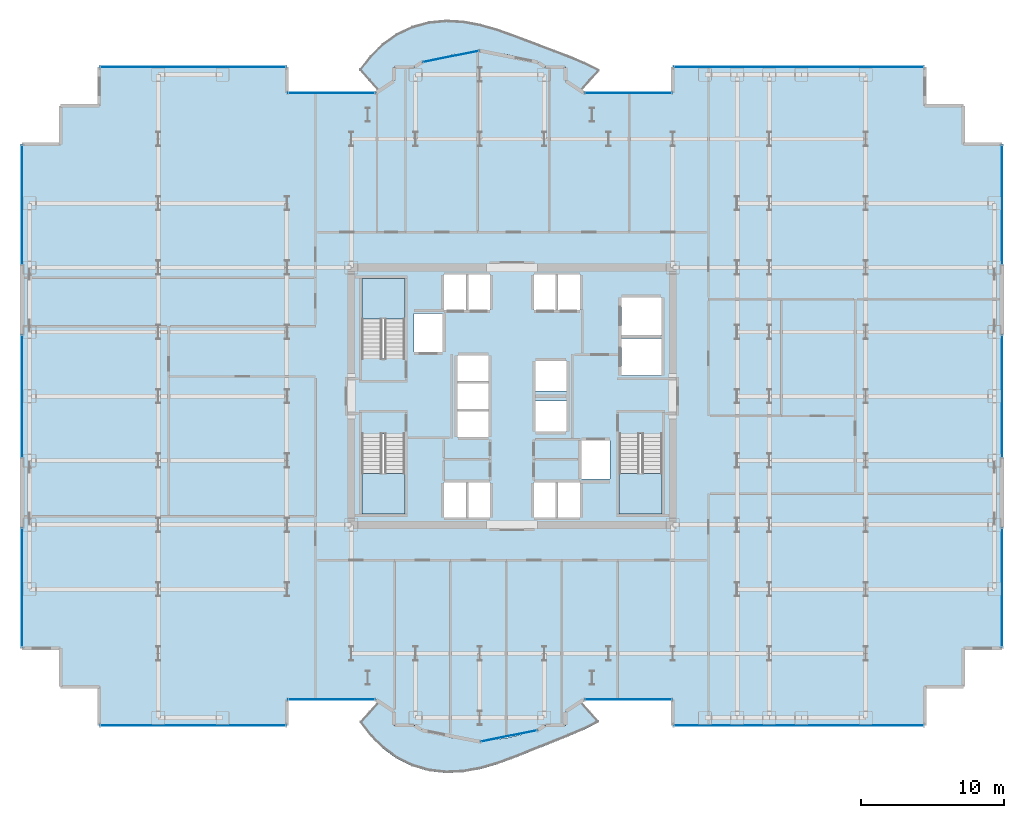
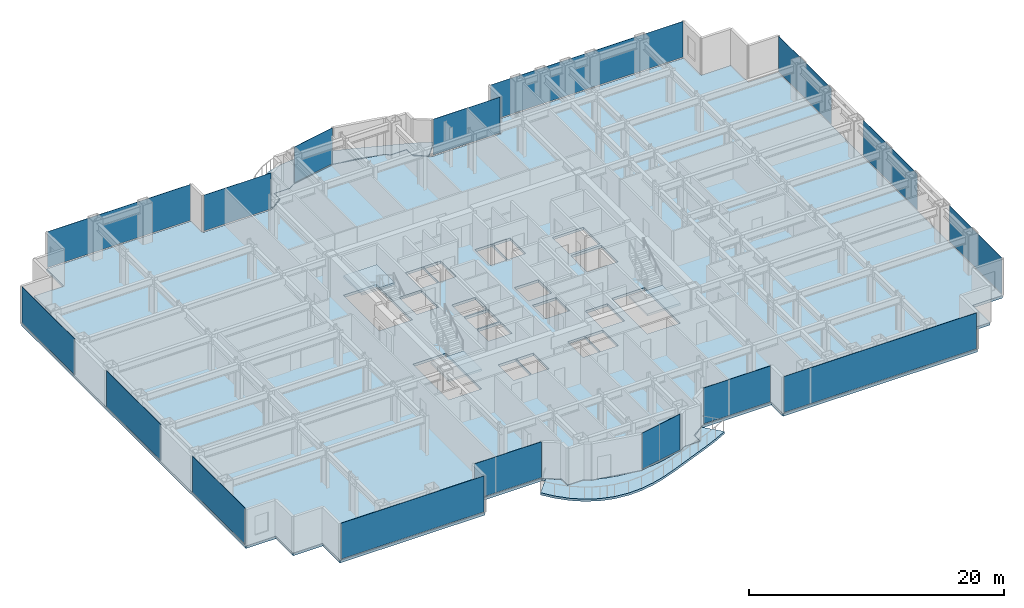
# One storey, part 20 of 29: 16 plates, 6 slabs, 19 elements without a shape of their own.
"""IFC4 building model written with IfcOpenShell, lengths in metres."""

from ifc_helpers import new_model, si_unit, direction, frame, origin, origin_2d, place, context, subcontext, project, spatial, polyline, rectangle, outline, extrude, source, transform, mapped, material, layer, layer_set, type_object, element, aggregate, save


model = new_model("IFC4")

# Units and contexts
model_context = context("Model", 3, precision=1e-05, world=origin(), true_north=direction((0.0, 1.0)))
body_context = subcontext(model_context, "Body", "Model", "MODEL_VIEW")
ifc_project = project(units=[si_unit("LENGTHUNIT", "METRE"), si_unit("AREAUNIT", "SQUARE_METRE"), si_unit("VOLUMEUNIT", "CUBIC_METRE"), si_unit("PLANEANGLEUNIT", "RADIAN"), si_unit("MASSUNIT", "GRAM", prefix="KILO")], contexts=[model_context])

# Site, building, storey
site_placement = place(None, origin())
site = spatial("IfcSite", under=ifc_project, at=site_placement, CompositionType="ELEMENT")
building_placement = place(site_placement, origin())
building = spatial("IfcBuilding", under=site, at=building_placement, Name="Nefas-Gora Pilgrimage Tower", CompositionType="ELEMENT")
storey_placement = place(building_placement, frame((0.0, 0.0, 90.800048828125)))
storey = spatial("IfcBuildingStorey", under=building, at=storey_placement, Name="L21", CompositionType="ELEMENT", Elevation=90.800048828125)

# Slabs
ifc_material_1 = material(Name="Concrete C40/50", Category="concrete")
ifc_layer_1 = layer(ifc_material_1, 0.219970703125)
ifc_layer_set_1 = layer_set([ifc_layer_1], Name="Concrete C40/50")
slab_type_1 = type_object("IfcSlabType", Name="SLB-BAL-P0", PredefinedType="FLOOR", material=ifc_layer_set_1)
slab_1_placement = place(storey_placement, frame((0.0, 0.0, -0.219970703125)))
element("IfcSlab", 1, at=slab_1_placement, inside=storey, type_object=slab_type_1, Name="L21 Sinusoidal Lobe Balcony Slab S (Phase 0)", PredefinedType="FLOOR", context=body_context, shape_type="SweptSolid", body=[
    extrude(outline(polyline([(4.78759765625, -21.385986328125), (4.724609375, -21.427978515625), (4.038330078125, -21.9912109375), (3.760009765625, -22.179931640625), (3.760009765625, -23.02001953125), (3.760009765625, -23.02099609375), (3.759765625, -23.02197265625), (3.759521484375, -23.02294921875), (3.75927734375, -23.023681640625), (3.7587890625, -23.024658203125), (3.75830078125, -23.025634765625), (3.7578125, -23.0263671875), (3.757080078125, -23.027099609375), (3.75634765625, -23.027587890625), (3.755615234375, -23.0283203125), (3.754638671875, -23.02880859375), (3.75390625, -23.029296875), (3.7529296875, -23.029541015625), (3.751953125, -23.02978515625), (3.7509765625, -23.030029296875), (3.75, -23.030029296875), (2.3271484375, -23.030029296875), (1.81298828125, -23.37353515625), (1.81201171875, -23.3740234375), (1.811279296875, -23.37451171875), (1.810302734375, -23.375), (1.809326171875, -23.375), (1.13037109375, -23.51025390625), (0.602783203125, -23.685302734375), (-0.334716796875, -23.904052734375), (-1.288330078125, -24.035888671875), (-1.580078125, -24.04931640625), (-2.248046875, -24.18212890625), (-2.2490234375, -24.182373046875), (-2.25, -24.182373046875), (-2.2509765625, -24.182373046875), (-2.251953125, -24.18212890625), (-2.919921875, -24.04931640625), (-3.211669921875, -24.035888671875), (-4.165283203125, -23.904052734375), (-5.102783203125, -23.685302734375), (-5.63037109375, -23.51025390625), (-6.309326171875, -23.375), (-6.310302734375, -23.375), (-6.311279296875, -23.37451171875), (-6.31201171875, -23.3740234375), (-6.31298828125, -23.37353515625), (-6.8271484375, -23.030029296875), (-8.25, -23.030029296875), (-8.2509765625, -23.030029296875), (-8.251953125, -23.02978515625), (-8.2529296875, -23.029541015625), (-8.25390625, -23.029296875), (-8.254638671875, -23.02880859375), (-8.255615234375, -23.0283203125), (-8.25634765625, -23.027587890625), (-8.257080078125, -23.027099609375), (-8.2578125, -23.0263671875), (-8.25830078125, -23.025634765625), (-8.2587890625, -23.024658203125), (-8.25927734375, -23.023681640625), (-8.259521484375, -23.02294921875), (-8.259765625, -23.02197265625), (-8.260009765625, -23.02099609375), (-8.260009765625, -23.02001953125), (-8.260009765625, -22.179931640625), (-8.538330078125, -21.9912109375), (-9.224609375, -21.427978515625), (-9.28759765625, -21.385986328125), (-10.614013671875, -22.859375), (-9.88720703125, -23.797607421875), (-9.037109375, -24.6455078125), (-8.062744140625, -25.357177734375), (-6.98046875, -25.89306640625), (-5.8203125, -26.2294921875), (-4.620849609375, -26.3623046875), (-3.42041015625, -26.3076171875), (-2.25, -26.09912109375), (-1.1279296875, -25.78125), (-0.0576171875, -25.39990234375), (0.971923828125, -24.993896484375), (1.979248046875, -24.58740234375), (2.985107421875, -24.18603515625), (4.00439453125, -23.7763671875), (5.039306640625, -23.331298828125), (6.0751953125, -22.816162109375), (4.78759765625, -21.385986328125)])), origin(), (0.0, 0.0, 1.0), 0.219970703125),
])
ifc_layer_2 = layer(ifc_material_1, 0.22509765625)
ifc_layer_set_2 = layer_set([ifc_layer_2], Name="Concrete C40/50")
slab_type_2 = type_object("IfcSlabType", Name="SLB-BAL-P4", PredefinedType="FLOOR", material=ifc_layer_set_2)
slab_2_placement = place(storey_placement, frame((0.0, 0.0, -0.22509765625)))
element("IfcSlab", 2, at=slab_2_placement, inside=storey, type_object=slab_type_2, Name="L21 Sinusoidal Lobe Balcony Slab N (Phase 4)", PredefinedType="FLOOR", context=body_context, shape_type="SweptSolid", body=[
    extrude(outline(polyline([(-9.28759765625, 21.385986328125), (-9.224609375, 21.427978515625), (-8.538330078125, 21.9912109375), (-8.260009765625, 22.179931640625), (-8.260009765625, 23.02001953125), (-8.260009765625, 23.02099609375), (-8.259765625, 23.02197265625), (-8.259521484375, 23.02294921875), (-8.25927734375, 23.023681640625), (-8.2587890625, 23.024658203125), (-8.25830078125, 23.025634765625), (-8.2578125, 23.0263671875), (-8.257080078125, 23.027099609375), (-8.25634765625, 23.027587890625), (-8.255615234375, 23.0283203125), (-8.254638671875, 23.02880859375), (-8.25390625, 23.029296875), (-8.2529296875, 23.029541015625), (-8.251953125, 23.02978515625), (-8.2509765625, 23.030029296875), (-8.25, 23.030029296875), (-6.8271484375, 23.030029296875), (-6.31298828125, 23.37353515625), (-6.31201171875, 23.3740234375), (-6.311279296875, 23.37451171875), (-6.310302734375, 23.375), (-6.309326171875, 23.375), (-5.63037109375, 23.51025390625), (-5.102783203125, 23.685302734375), (-4.165283203125, 23.904052734375), (-3.211669921875, 24.035888671875), (-2.919921875, 24.04931640625), (-2.251953125, 24.18212890625), (-2.2509765625, 24.182373046875), (-2.25, 24.182373046875), (-2.2490234375, 24.182373046875), (-2.248046875, 24.18212890625), (-1.580078125, 24.04931640625), (-1.288330078125, 24.035888671875), (-0.334716796875, 23.904052734375), (0.602783203125, 23.685302734375), (1.13037109375, 23.51025390625), (1.809326171875, 23.375), (1.810302734375, 23.375), (1.811279296875, 23.37451171875), (1.81201171875, 23.3740234375), (1.81298828125, 23.37353515625), (2.3271484375, 23.030029296875), (3.75, 23.030029296875), (3.7509765625, 23.030029296875), (3.751953125, 23.02978515625), (3.7529296875, 23.029541015625), (3.75390625, 23.029296875), (3.754638671875, 23.02880859375), (3.755615234375, 23.0283203125), (3.75634765625, 23.027587890625), (3.757080078125, 23.027099609375), (3.7578125, 23.0263671875), (3.75830078125, 23.025634765625), (3.7587890625, 23.024658203125), (3.75927734375, 23.023681640625), (3.759521484375, 23.02294921875), (3.759765625, 23.02197265625), (3.760009765625, 23.02099609375), (3.760009765625, 23.02001953125), (3.760009765625, 22.179931640625), (4.038330078125, 21.9912109375), (4.724609375, 21.427978515625), (4.78759765625, 21.385986328125), (6.114013671875, 22.859375), (5.07080078125, 23.373779296875), (4.025390625, 23.810302734375), (2.994384765625, 24.20458984375), (1.978759765625, 24.58642578125), (0.965576171875, 24.9716796875), (-0.06494140625, 25.359130859375), (-1.1328125, 25.7275390625), (-2.25, 26.041015625), (-3.41552734375, 26.25390625), (-4.61328125, 26.321533203125), (-5.814208984375, 26.20751953125), (-6.97998046875, 25.89208984375), (-8.072021484375, 25.375732421875), (-9.05810546875, 24.6796875), (-9.9189453125, 23.840087890625), (-10.653076171875, 22.902587890625), (-9.28759765625, 21.385986328125)])), origin(), (0.0, 0.0, 1.0), 0.22509765625),
])
ifc_layer_3 = layer(ifc_material_1, 0.25)
ifc_layer_set_3 = layer_set([ifc_layer_3], Name="Concrete C40/50")
slab_type_3 = type_object("IfcSlabType", Name="SLB-TWR-250", PredefinedType="FLOOR", material=ifc_layer_set_3)
slab_3_placement = place(storey_placement, frame((0.0, 0.0, -0.25)))
element("IfcSlab", 3, at=slab_3_placement, inside=storey, type_object=slab_type_3, Name="L21 Structural Floor Slab", PredefinedType="FLOOR", context=body_context, shape_type="SweptSolid", body=[
    extrude(outline(polyline([(5.01806640625, -21.219970703125), (11.25, -21.219970703125), (11.25, -23.02001953125), (28.8701171875, -23.02001953125), (28.8701171875, -20.320068359375), (31.570068359375, -20.320068359375), (31.570068359375, -17.6201171875), (34.27001953125, -17.6201171875), (34.27001953125, 17.6201171875), (31.570068359375, 17.6201171875), (31.570068359375, 20.320068359375), (28.8701171875, 20.320068359375), (28.8701171875, 23.02001953125), (11.25, 23.02001953125), (11.25, 21.219970703125), (5.01806640625, 21.219970703125), (3.75, 22.0673828125), (3.75, 23.02001953125), (2.32421875, 23.02001953125), (1.807373046875, 23.365234375), (-2.25, 24.17236328125), (-6.307373046875, 23.365234375), (-6.82421875, 23.02001953125), (-8.25, 23.02001953125), (-8.25, 22.0673828125), (-9.51806640625, 21.219970703125), (-15.75, 21.219970703125), (-15.75, 23.02001953125), (-28.8701171875, 23.02001953125), (-28.8701171875, 20.320068359375), (-31.570068359375, 20.320068359375), (-31.570068359375, 17.6201171875), (-34.27001953125, 17.6201171875), (-34.27001953125, -17.6201171875), (-31.570068359375, -17.6201171875), (-31.570068359375, -20.320068359375), (-28.8701171875, -20.320068359375), (-28.8701171875, -23.02001953125), (-15.75, -23.02001953125), (-15.75, -21.219970703125), (-9.51806640625, -21.219970703125), (-8.25, -22.0673828125), (-8.25, -23.02001953125), (-6.82421875, -23.02001953125), (-6.307373046875, -23.365234375), (-2.25, -24.17236328125), (1.807373046875, -23.365234375), (2.32421875, -23.02001953125), (3.75, -23.02001953125), (3.75, -22.0673828125), (5.01806640625, -21.219970703125)]), holes=[polyline([(-10.5, 2.639892578125), (-10.5, 8.25), (-7.5, 8.25), (-7.5, 2.639892578125), (-10.5, 2.639892578125)]), polyline([(10.5, -2.639892578125), (10.5, -8.25), (7.5, -8.25), (7.5, -2.639892578125), (10.5, -2.639892578125)]), polyline([(-7.5, -2.639892578125), (-7.5, -8.25), (-10.5, -8.25), (-10.5, -2.639892578125), (-7.5, -2.639892578125)]), polyline([(-6.85009765625, 5.800048828125), (-4.85009765625, 5.800048828125), (-4.85009765625, 3.10009765625), (-6.85009765625, 3.10009765625), (-6.85009765625, 5.800048828125)]), polyline([(4.85009765625, -3.10009765625), (6.85009765625, -3.10009765625), (6.85009765625, -5.800048828125), (4.85009765625, -5.800048828125), (4.85009765625, -3.10009765625)]), polyline([(7.64990234375, 4.050048828125), (10.449951171875, 4.050048828125), (10.449951171875, 1.449951171875), (7.64990234375, 1.449951171875), (7.64990234375, 4.050048828125)]), polyline([(7.64990234375, 6.89990234375), (10.449951171875, 6.89990234375), (10.449951171875, 4.300048828125), (7.64990234375, 4.300048828125), (7.64990234375, 6.89990234375)]), polyline([(-4.75, 8.5), (-3.14990234375, 8.5), (-3.14990234375, 6.050048828125), (-4.75, 6.050048828125), (-4.75, 8.5)]), polyline([(-3.10009765625, 8.5), (-1.550048828125, 8.5), (-1.550048828125, 6.050048828125), (-3.10009765625, 6.050048828125), (-3.10009765625, 8.5)]), polyline([(1.550048828125, 8.5), (3.10009765625, 8.5), (3.10009765625, 6.050048828125), (1.550048828125, 6.050048828125), (1.550048828125, 8.5)]), polyline([(3.14990234375, 8.5), (4.75, 8.5), (4.75, 6.050048828125), (3.14990234375, 6.050048828125), (3.14990234375, 8.5)]), polyline([(-4.75, -6.050048828125), (-3.14990234375, -6.050048828125), (-3.14990234375, -8.5), (-4.75, -8.5), (-4.75, -6.050048828125)]), polyline([(-3.10009765625, -6.050048828125), (-1.550048828125, -6.050048828125), (-1.550048828125, -8.5), (-3.10009765625, -8.5), (-3.10009765625, -6.050048828125)]), polyline([(1.550048828125, -6.050048828125), (3.10009765625, -6.050048828125), (3.10009765625, -8.5), (1.550048828125, -8.5), (1.550048828125, -6.050048828125)]), polyline([(3.14990234375, -6.050048828125), (4.75, -6.050048828125), (4.75, -8.5), (3.14990234375, -8.5), (3.14990234375, -6.050048828125)]), polyline([(-3.800048828125, -1.050048828125), (-1.64990234375, -1.050048828125), (-1.64990234375, -2.85009765625), (-3.800048828125, -2.85009765625), (-3.800048828125, -1.050048828125)]), polyline([(-3.800048828125, 0.89990234375), (-1.64990234375, 0.89990234375), (-1.64990234375, -0.89990234375), (-3.800048828125, -0.89990234375), (-3.800048828125, 0.89990234375)]), polyline([(-3.800048828125, 2.85009765625), (-1.64990234375, 2.85009765625), (-1.64990234375, 1.050048828125), (-3.800048828125, 1.050048828125), (-3.800048828125, 2.85009765625)]), polyline([(1.64990234375, -0.35009765625), (3.800048828125, -0.35009765625), (3.800048828125, -2.449951171875), (1.64990234375, -2.449951171875), (1.64990234375, -0.35009765625)]), polyline([(1.64990234375, 2.449951171875), (3.800048828125, 2.449951171875), (3.800048828125, 0.35009765625), (1.64990234375, 0.35009765625), (1.64990234375, 2.449951171875)])]), origin(), (0.0, 0.0, 1.0), 0.25),
])

# Stair, slab
ifc_material_2 = material(Name="Concrete C45/55", Category="concrete")
stair_type = type_object("IfcStairType", Name="STR-1400-R1727", PredefinedType="HALF_TURN_STAIR", material=ifc_material_2)
stair_1_placement = place(storey_placement, origin())
stair_1 = element("IfcStair", 4, at=stair_1_placement, inside=storey, type_object=stair_type, Name="L21 Pressurised Tower Exit Stair ST-01", PredefinedType="HALF_TURN_STAIR")
ifc_layer_4 = layer(ifc_material_1, 0.199951171875)
ifc_layer_set_4 = layer_set([ifc_layer_4], Name="Concrete C40/50")
slab_type_4 = type_object("IfcSlabType", Name="STR-LAND-200", PredefinedType="LANDING", material=ifc_layer_set_4)
slab_4_placement = place(storey_placement, frame((0.0, 0.0, 1.699951171875)))
slab_4 = element("IfcSlab", 5, at=slab_4_placement, type_object=slab_type_4, Name="ST-01 landing 1", PredefinedType="LANDING", context=body_context, shape_type="SweptSolid", body=[
    extrude(outline(polyline([(-7.5, 5.39990234375), (-7.5, 8.25), (-10.5, 8.25), (-10.5, 5.39990234375), (-7.5, 5.39990234375)])), origin(), (0.0, 0.0, 1.0), 0.199951171875),
])
aggregate(stair_1, [slab_4])

stair_2_placement = place(storey_placement, origin())
stair_2 = element("IfcStair", 6, at=stair_2_placement, inside=storey, type_object=stair_type, Name="L21 Pressurised Tower Exit Stair ST-02", PredefinedType="HALF_TURN_STAIR")
slab_5_placement = place(storey_placement, frame((0.0, 0.0, 1.699951171875)))
slab_5 = element("IfcSlab", 7, at=slab_5_placement, type_object=slab_type_4, Name="ST-02 landing 1", PredefinedType="LANDING", context=body_context, shape_type="SweptSolid", body=[
    extrude(outline(polyline([(7.5, -5.39990234375), (7.5, -8.25), (10.5, -8.25), (10.5, -5.39990234375), (7.5, -5.39990234375)])), origin(), (0.0, 0.0, 1.0), 0.199951171875),
])
aggregate(stair_2, [slab_5])

stair_3_placement = place(storey_placement, origin())
stair_3 = element("IfcStair", 8, at=stair_3_placement, inside=storey, type_object=stair_type, Name="L21 Pressurised Tower Exit Stair ST-03", PredefinedType="HALF_TURN_STAIR")
slab_6_placement = place(storey_placement, frame((0.0, 0.0, 1.699951171875)))
slab_6 = element("IfcSlab", 9, at=slab_6_placement, type_object=slab_type_4, Name="ST-03 landing 1", PredefinedType="LANDING", context=body_context, shape_type="SweptSolid", body=[
    extrude(outline(polyline([(-10.5, -5.39990234375), (-10.5, -8.25), (-7.5, -8.25), (-7.5, -5.39990234375), (-10.5, -5.39990234375)])), origin(), (0.0, 0.0, 1.0), 0.199951171875),
])
aggregate(stair_3, [slab_6])

# Curtain wall, plate
ifc_material_3 = material(Name="Dark ceramic-fritted solar-control aluminium-glass curtain wall", Category="aluminium")
ifc_layer_5 = layer(ifc_material_3, 0.219970703125)
ifc_layer_set_5 = layer_set([ifc_layer_5], Name="Dark ceramic-fritted solar-control aluminium-glass curtain wall")
curtain_wall_type_1 = type_object("IfcCurtainWallType", Name="CW-SYS-5", PredefinedType="NOTDEFINED", material=ifc_layer_set_5)
curtain_wall_1_placement = place(storey_placement, origin())
curtain_wall_1 = element("IfcCurtainWall", 10, at=curtain_wall_1_placement, inside=storey, type_object=curtain_wall_type_1, Name="L21 Unitised Curtain Wall CW5", PredefinedType="NOTDEFINED")
ifc_material_4 = material(Name="Dark ceramic-printed low-e insulated glass", Category="glass")
ifc_layer_6 = layer(ifc_material_4, 0.028076171875)
ifc_layer_set_6 = layer_set([ifc_layer_6], Name="Dark ceramic-printed low-e insulated glass")
plate_type_1 = type_object("IfcPlateType", Name="CWP-PNL-5", PredefinedType="CURTAIN_PANEL", material=ifc_layer_set_6)
shared_shape_1 = source(origin(), body_context, "Body", "SweptSolid", [
    extrude(rectangle(XDim=6.052001953125, YDim=0.028076171875, at=origin_2d()), origin(), (0.0, 0.0, 1.0), 3.43994140625),
])
plate_1_placement = place(storey_placement, frame((8.134033203125, -21.219970703125, 0.10009765625), z_axis=(0.0, 0.0, 1.0), x_axis=(1.0, 0.0, 0.0)))
plate_1 = element("IfcPlate", 11, at=plate_1_placement, type_object=plate_type_1, Name="CW5 Ceramic-Fritted Glazing Panel 1", PredefinedType="CURTAIN_PANEL", context=body_context, shape_type="MappedRepresentation", body=[
    mapped(shared_shape_1, transform((0.0, 0.0, 0.0), x_axis=(1.0, 0.0, 0.0), y_axis=(0.0, 1.0, 0.0), z_axis=(0.0, 0.0, 1.0), scale=1.0)),
])
aggregate(curtain_wall_1, [plate_1])

curtain_wall_2_placement = place(storey_placement, origin())
curtain_wall_2 = element("IfcCurtainWall", 12, at=curtain_wall_2_placement, inside=storey, type_object=curtain_wall_type_1, Name="L21 Unitised Curtain Wall CW5", PredefinedType="NOTDEFINED")
plate_2_placement = place(storey_placement, frame((8.134033203125, 21.219970703125, 0.10009765625), z_axis=(0.0, 0.0, 1.0), x_axis=(-1.0, 0.0, 0.0)))
plate_2 = element("IfcPlate", 13, at=plate_2_placement, type_object=plate_type_1, Name="CW5 Ceramic-Fritted Glazing Panel 1", PredefinedType="CURTAIN_PANEL", context=body_context, shape_type="MappedRepresentation", body=[
    mapped(shared_shape_1, transform((0.0, 0.0, 0.0), x_axis=(1.0, 0.0, 0.0), y_axis=(0.0, 1.0, 0.0), z_axis=(0.0, 0.0, 1.0), scale=1.0)),
])
aggregate(curtain_wall_2, [plate_2])

curtain_wall_3_placement = place(storey_placement, origin())
curtain_wall_3 = element("IfcCurtainWall", 14, at=curtain_wall_3_placement, inside=storey, type_object=curtain_wall_type_1, Name="L21 Unitised Curtain Wall CW5", PredefinedType="NOTDEFINED")
plate_3_placement = place(storey_placement, frame((-12.634033203125, 21.219970703125, 0.10009765625), z_axis=(0.0, 0.0, 1.0), x_axis=(-1.0, 0.0, 0.0)))
plate_3 = element("IfcPlate", 15, at=plate_3_placement, type_object=plate_type_1, Name="CW5 Ceramic-Fritted Glazing Panel 1", PredefinedType="CURTAIN_PANEL", context=body_context, shape_type="MappedRepresentation", body=[
    mapped(shared_shape_1, transform((0.0, 0.0, 0.0), x_axis=(1.0, 0.0, 0.0), y_axis=(0.0, 1.0, 0.0), z_axis=(0.0, 0.0, 1.0), scale=1.0)),
])
aggregate(curtain_wall_3, [plate_3])

curtain_wall_4_placement = place(storey_placement, origin())
curtain_wall_4 = element("IfcCurtainWall", 16, at=curtain_wall_4_placement, inside=storey, type_object=curtain_wall_type_1, Name="L21 Unitised Curtain Wall CW5", PredefinedType="NOTDEFINED")
plate_4_placement = place(storey_placement, frame((-12.634033203125, -21.219970703125, 0.10009765625), z_axis=(0.0, 0.0, 1.0), x_axis=(1.0, 0.0, 0.0)))
plate_4 = element("IfcPlate", 17, at=plate_4_placement, type_object=plate_type_1, Name="CW5 Ceramic-Fritted Glazing Panel 1", PredefinedType="CURTAIN_PANEL", context=body_context, shape_type="MappedRepresentation", body=[
    mapped(shared_shape_1, transform((0.0, 0.0, 0.0), x_axis=(1.0, 0.0, 0.0), y_axis=(0.0, 1.0, 0.0), z_axis=(0.0, 0.0, 1.0), scale=1.0)),
])
aggregate(curtain_wall_4, [plate_4])

ifc_layer_7 = layer(ifc_material_3, 0.219970703125)
ifc_layer_set_7 = layer_set([ifc_layer_7], Name="Dark ceramic-fritted solar-control aluminium-glass curtain wall")
curtain_wall_type_2 = type_object("IfcCurtainWallType", Name="CW-SYS-2", PredefinedType="NOTDEFINED", material=ifc_layer_set_7)
curtain_wall_5_placement = place(storey_placement, origin())
curtain_wall_5 = element("IfcCurtainWall", 18, at=curtain_wall_5_placement, inside=storey, type_object=curtain_wall_type_2, Name="L21 Unitised Curtain Wall CW2", PredefinedType="NOTDEFINED")
ifc_layer_8 = layer(ifc_material_4, 0.031982421875)
ifc_layer_set_8 = layer_set([ifc_layer_8], Name="Dark ceramic-printed low-e insulated glass")
plate_type_2 = type_object("IfcPlateType", Name="CWP-PNL-2", PredefinedType="CURTAIN_PANEL", material=ifc_layer_set_8)
shared_shape_2 = source(origin(), body_context, "Body", "SweptSolid", [
    extrude(rectangle(XDim=17.43994140625, YDim=0.031982421875, at=origin_2d()), origin(), (0.0, 0.0, 1.0), 3.43994140625),
])
plate_5_placement = place(storey_placement, frame((20.06005859375, -23.02001953125, 0.10009765625), z_axis=(0.0, 0.0, 1.0), x_axis=(1.0, 0.0, 0.0)))
plate_5 = element("IfcPlate", 19, at=plate_5_placement, type_object=plate_type_2, Name="CW2 Ceramic-Fritted Glazing Panel 1", PredefinedType="CURTAIN_PANEL", context=body_context, shape_type="MappedRepresentation", body=[
    mapped(shared_shape_2, transform((0.0, 0.0, 0.0), x_axis=(1.0, 0.0, 0.0), y_axis=(0.0, 1.0, 0.0), z_axis=(0.0, 0.0, 1.0), scale=1.0)),
])
aggregate(curtain_wall_5, [plate_5])

curtain_wall_6_placement = place(storey_placement, origin())
curtain_wall_6 = element("IfcCurtainWall", 20, at=curtain_wall_6_placement, inside=storey, type_object=curtain_wall_type_2, Name="L21 Unitised Curtain Wall CW2", PredefinedType="NOTDEFINED")
plate_6_placement = place(storey_placement, frame((20.06005859375, 23.02001953125, 0.10009765625), z_axis=(0.0, 0.0, 1.0), x_axis=(-1.0, 0.0, 0.0)))
plate_6 = element("IfcPlate", 21, at=plate_6_placement, type_object=plate_type_2, Name="CW2 Ceramic-Fritted Glazing Panel 1", PredefinedType="CURTAIN_PANEL", context=body_context, shape_type="MappedRepresentation", body=[
    mapped(shared_shape_2, transform((0.0, 0.0, 0.0), x_axis=(1.0, 0.0, 0.0), y_axis=(0.0, 1.0, 0.0), z_axis=(0.0, 0.0, 1.0), scale=1.0)),
])
aggregate(curtain_wall_6, [plate_6])

curtain_wall_7_placement = place(storey_placement, origin())
curtain_wall_7 = element("IfcCurtainWall", 22, at=curtain_wall_7_placement, inside=storey, type_object=curtain_wall_type_2, Name="L21 Unitised Curtain Wall CW2", PredefinedType="NOTDEFINED")
shared_shape_3 = source(origin(), body_context, "Body", "SweptSolid", [
    extrude(rectangle(XDim=8.2900390625, YDim=0.031982421875, at=origin_2d()), origin(), (0.0, 0.0, 1.0), 3.43994140625),
])
plate_7_placement = place(storey_placement, frame((34.27001953125, -13.385009765625, 0.10009765625), z_axis=(0.0, 0.0, 1.0), x_axis=(0.0, 1.0, 0.0)))
plate_7 = element("IfcPlate", 23, at=plate_7_placement, type_object=plate_type_2, Name="CW2 Ceramic-Fritted Glazing Panel 1", PredefinedType="CURTAIN_PANEL", context=body_context, shape_type="MappedRepresentation", body=[
    mapped(shared_shape_3, transform((0.0, 0.0, 0.0), x_axis=(1.0, 0.0, 0.0), y_axis=(0.0, 1.0, 0.0), z_axis=(0.0, 0.0, 1.0), scale=1.0)),
])
aggregate(curtain_wall_7, [plate_7])

curtain_wall_8_placement = place(storey_placement, origin())
curtain_wall_8 = element("IfcCurtainWall", 24, at=curtain_wall_8_placement, inside=storey, type_object=curtain_wall_type_2, Name="L21 Unitised Curtain Wall CW2", PredefinedType="NOTDEFINED")
plate_8_placement = place(storey_placement, frame((34.27001953125, 13.385009765625, 0.10009765625), z_axis=(0.0, 0.0, 1.0), x_axis=(0.0, 1.0, 0.0)))
plate_8 = element("IfcPlate", 25, at=plate_8_placement, type_object=plate_type_2, Name="CW2 Ceramic-Fritted Glazing Panel 1", PredefinedType="CURTAIN_PANEL", context=body_context, shape_type="MappedRepresentation", body=[
    mapped(shared_shape_3, transform((0.0, 0.0, 0.0), x_axis=(1.0, 0.0, 0.0), y_axis=(0.0, 1.0, 0.0), z_axis=(0.0, 0.0, 1.0), scale=1.0)),
])
aggregate(curtain_wall_8, [plate_8])

curtain_wall_9_placement = place(storey_placement, origin())
curtain_wall_9 = element("IfcCurtainWall", 26, at=curtain_wall_9_placement, inside=storey, type_object=curtain_wall_type_2, Name="L21 Unitised Curtain Wall CW2", PredefinedType="NOTDEFINED")
plate_9_placement = place(storey_placement, frame((-34.27001953125, 13.385009765625, 0.10009765625), z_axis=(0.0, 0.0, 1.0), x_axis=(0.0, -1.0, 0.0)))
plate_9 = element("IfcPlate", 27, at=plate_9_placement, type_object=plate_type_2, Name="CW2 Ceramic-Fritted Glazing Panel 1", PredefinedType="CURTAIN_PANEL", context=body_context, shape_type="MappedRepresentation", body=[
    mapped(shared_shape_3, transform((0.0, 0.0, 0.0), x_axis=(1.0, 0.0, 0.0), y_axis=(0.0, 1.0, 0.0), z_axis=(0.0, 0.0, 1.0), scale=1.0)),
])
aggregate(curtain_wall_9, [plate_9])

curtain_wall_10_placement = place(storey_placement, origin())
curtain_wall_10 = element("IfcCurtainWall", 28, at=curtain_wall_10_placement, inside=storey, type_object=curtain_wall_type_2, Name="L21 Unitised Curtain Wall CW2", PredefinedType="NOTDEFINED")
plate_10_placement = place(storey_placement, frame((-34.27001953125, -13.385009765625, 0.10009765625), z_axis=(0.0, 0.0, 1.0), x_axis=(0.0, -1.0, 0.0)))
plate_10 = element("IfcPlate", 29, at=plate_10_placement, type_object=plate_type_2, Name="CW2 Ceramic-Fritted Glazing Panel 1", PredefinedType="CURTAIN_PANEL", context=body_context, shape_type="MappedRepresentation", body=[
    mapped(shared_shape_3, transform((0.0, 0.0, 0.0), x_axis=(1.0, 0.0, 0.0), y_axis=(0.0, 1.0, 0.0), z_axis=(0.0, 0.0, 1.0), scale=1.0)),
])
aggregate(curtain_wall_10, [plate_10])

curtain_wall_11_placement = place(storey_placement, origin())
curtain_wall_11 = element("IfcCurtainWall", 30, at=curtain_wall_11_placement, inside=storey, type_object=curtain_wall_type_2, Name="L21 Unitised Curtain Wall CW2", PredefinedType="NOTDEFINED")
shared_shape_4 = source(origin(), body_context, "Body", "SweptSolid", [
    extrude(rectangle(XDim=8.52001953125, YDim=0.031982421875, at=origin_2d()), origin(), (0.0, 0.0, 1.0), 3.43994140625),
])
plate_11_placement = place(storey_placement, frame((34.27001953125, 0.0, 0.10009765625), z_axis=(0.0, 0.0, 1.0), x_axis=(0.0, 1.0, 0.0)))
plate_11 = element("IfcPlate", 31, at=plate_11_placement, type_object=plate_type_2, Name="CW2 Ceramic-Fritted Glazing Panel 1", PredefinedType="CURTAIN_PANEL", context=body_context, shape_type="MappedRepresentation", body=[
    mapped(shared_shape_4, transform((0.0, 0.0, 0.0), x_axis=(1.0, 0.0, 0.0), y_axis=(0.0, 1.0, 0.0), z_axis=(0.0, 0.0, 1.0), scale=1.0)),
])
aggregate(curtain_wall_11, [plate_11])

curtain_wall_12_placement = place(storey_placement, origin())
curtain_wall_12 = element("IfcCurtainWall", 32, at=curtain_wall_12_placement, inside=storey, type_object=curtain_wall_type_2, Name="L21 Unitised Curtain Wall CW2", PredefinedType="NOTDEFINED")
plate_12_placement = place(storey_placement, frame((-34.27001953125, 0.0, 0.10009765625), z_axis=(0.0, 0.0, 1.0), x_axis=(0.0, -1.0, 0.0)))
plate_12 = element("IfcPlate", 33, at=plate_12_placement, type_object=plate_type_2, Name="CW2 Ceramic-Fritted Glazing Panel 1", PredefinedType="CURTAIN_PANEL", context=body_context, shape_type="MappedRepresentation", body=[
    mapped(shared_shape_4, transform((0.0, 0.0, 0.0), x_axis=(1.0, 0.0, 0.0), y_axis=(0.0, 1.0, 0.0), z_axis=(0.0, 0.0, 1.0), scale=1.0)),
])
aggregate(curtain_wall_12, [plate_12])

curtain_wall_13_placement = place(storey_placement, origin())
curtain_wall_13 = element("IfcCurtainWall", 34, at=curtain_wall_13_placement, inside=storey, type_object=curtain_wall_type_1, Name="L21 Unitised Curtain Wall CW5", PredefinedType="NOTDEFINED")
shared_shape_5 = source(origin(), body_context, "Body", "SweptSolid", [
    extrude(rectangle(XDim=3.956787109375, YDim=0.028076171875, at=origin_2d()), origin(), (0.0, 0.0, 1.0), 3.43994140625),
])
plate_13_placement = place(storey_placement, frame((-4.278564453125, 23.768798828125, 0.10009765625), z_axis=(0.0, 0.0, 1.0), x_axis=(-0.980782896852, -0.195102304554, 0.0)))
plate_13 = element("IfcPlate", 35, at=plate_13_placement, type_object=plate_type_1, Name="CW5 Ceramic-Fritted Glazing Panel 1", PredefinedType="CURTAIN_PANEL", context=body_context, shape_type="MappedRepresentation", body=[
    mapped(shared_shape_5, transform((0.0, 0.0, 0.0), x_axis=(1.0, 0.0, 0.0), y_axis=(0.0, 1.0, 0.0), z_axis=(0.0, 0.0, 1.0), scale=1.0)),
])
aggregate(curtain_wall_13, [plate_13])

curtain_wall_14_placement = place(storey_placement, origin())
curtain_wall_14 = element("IfcCurtainWall", 36, at=curtain_wall_14_placement, inside=storey, type_object=curtain_wall_type_1, Name="L21 Unitised Curtain Wall CW5", PredefinedType="NOTDEFINED")
plate_14_placement = place(storey_placement, frame((-0.221435546875, -23.768798828125, 0.10009765625), z_axis=(0.0, 0.0, 1.0), x_axis=(0.980782896852, 0.195102304554, 0.0)))
plate_14 = element("IfcPlate", 37, at=plate_14_placement, type_object=plate_type_1, Name="CW5 Ceramic-Fritted Glazing Panel 1", PredefinedType="CURTAIN_PANEL", context=body_context, shape_type="MappedRepresentation", body=[
    mapped(shared_shape_5, transform((0.0, 0.0, 0.0), x_axis=(1.0, 0.0, 0.0), y_axis=(0.0, 1.0, 0.0), z_axis=(0.0, 0.0, 1.0), scale=1.0)),
])
aggregate(curtain_wall_14, [plate_14])

curtain_wall_15_placement = place(storey_placement, origin())
curtain_wall_15 = element("IfcCurtainWall", 38, at=curtain_wall_15_placement, inside=storey, type_object=curtain_wall_type_2, Name="L21 Unitised Curtain Wall CW2", PredefinedType="NOTDEFINED")
shared_shape_6 = source(origin(), body_context, "Body", "SweptSolid", [
    extrude(rectangle(XDim=12.93994140625, YDim=0.031982421875, at=origin_2d()), origin(), (0.0, 0.0, 1.0), 3.43994140625),
])
plate_15_placement = place(storey_placement, frame((-22.31005859375, 23.02001953125, 0.10009765625), z_axis=(0.0, 0.0, 1.0), x_axis=(-1.0, 0.0, 0.0)))
plate_15 = element("IfcPlate", 39, at=plate_15_placement, type_object=plate_type_2, Name="CW2 Ceramic-Fritted Glazing Panel 1", PredefinedType="CURTAIN_PANEL", context=body_context, shape_type="MappedRepresentation", body=[
    mapped(shared_shape_6, transform((0.0, 0.0, 0.0), x_axis=(1.0, 0.0, 0.0), y_axis=(0.0, 1.0, 0.0), z_axis=(0.0, 0.0, 1.0), scale=1.0)),
])
aggregate(curtain_wall_15, [plate_15])

curtain_wall_16_placement = place(storey_placement, origin())
curtain_wall_16 = element("IfcCurtainWall", 40, at=curtain_wall_16_placement, inside=storey, type_object=curtain_wall_type_2, Name="L21 Unitised Curtain Wall CW2", PredefinedType="NOTDEFINED")
plate_16_placement = place(storey_placement, frame((-22.31005859375, -23.02001953125, 0.10009765625), z_axis=(0.0, 0.0, 1.0), x_axis=(1.0, 0.0, 0.0)))
plate_16 = element("IfcPlate", 41, at=plate_16_placement, type_object=plate_type_2, Name="CW2 Ceramic-Fritted Glazing Panel 1", PredefinedType="CURTAIN_PANEL", context=body_context, shape_type="MappedRepresentation", body=[
    mapped(shared_shape_6, transform((0.0, 0.0, 0.0), x_axis=(1.0, 0.0, 0.0), y_axis=(0.0, 1.0, 0.0), z_axis=(0.0, 0.0, 1.0), scale=1.0)),
])
aggregate(curtain_wall_16, [plate_16])

save(model, "model.ifc")
